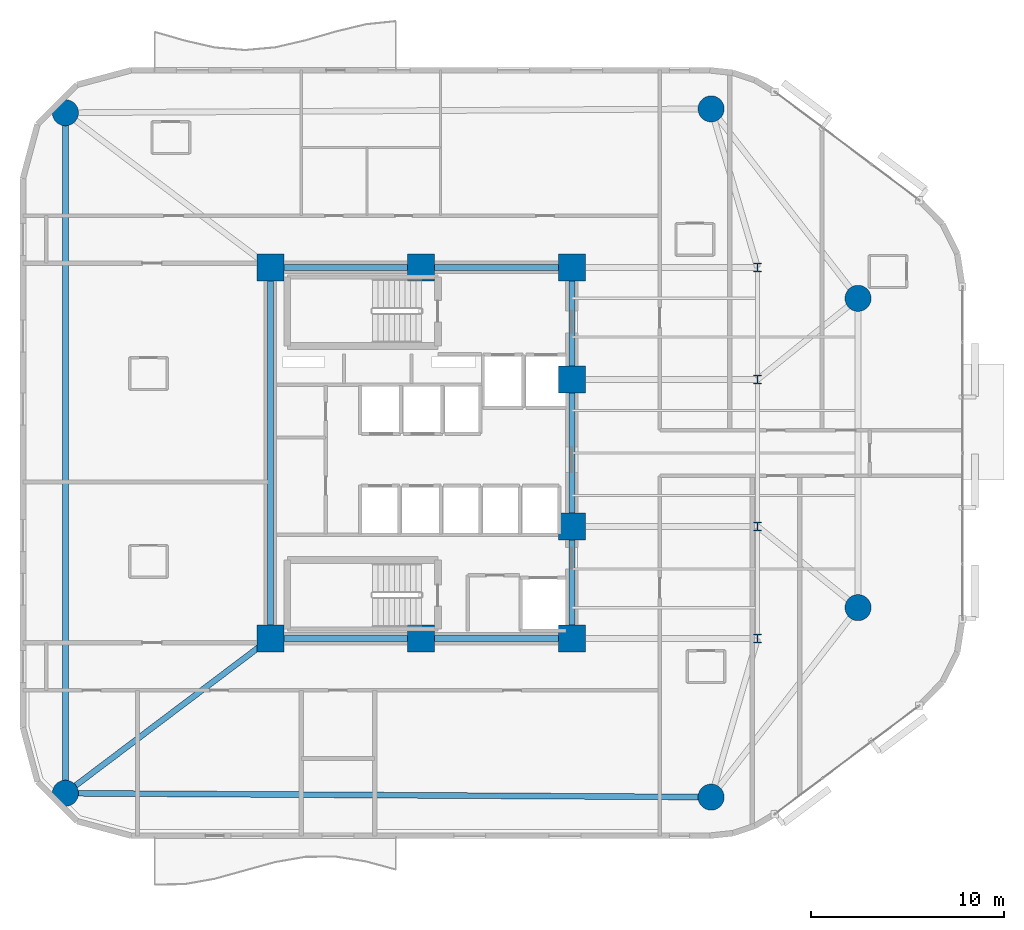
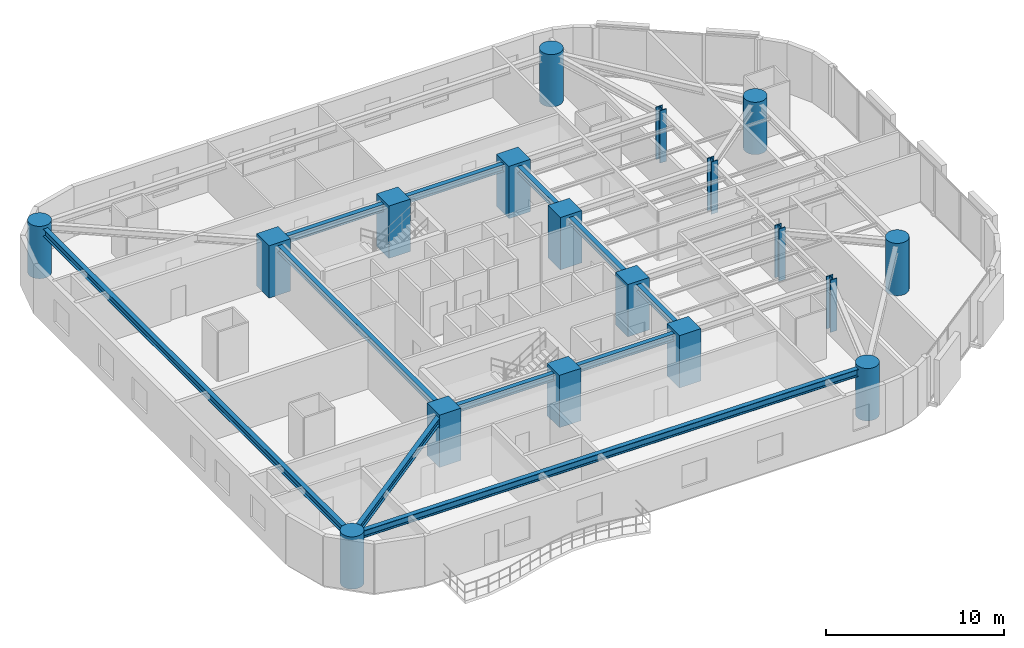
# One storey, part 1 of 16: 18 columns, 9 beams.
"""IFC4 building model written with IfcOpenShell, lengths in metres."""

from ifc_helpers import new_model, si_unit, direction, frame, origin, origin_2d, place, context, subcontext, project, spatial, rectangle, circle, i_section, extrude, material, material_profile, profile_set, type_object, element, save


model = new_model("IFC4")

# Units and contexts
model_context = context("Model", 3, precision=1e-05, world=origin(), true_north=direction((0.0, 1.0)))
body_context = subcontext(model_context, "Body", "Model", "MODEL_VIEW")
ifc_project = project(units=[si_unit("LENGTHUNIT", "METRE"), si_unit("AREAUNIT", "SQUARE_METRE"), si_unit("VOLUMEUNIT", "CUBIC_METRE"), si_unit("PLANEANGLEUNIT", "RADIAN"), si_unit("MASSUNIT", "GRAM", prefix="KILO")], contexts=[model_context])

# Site, building, storey
site_placement = place(None, origin())
site = spatial("IfcSite", under=ifc_project, at=site_placement, CompositionType="ELEMENT")
building_placement = place(site_placement, origin())
building = spatial("IfcBuilding", under=site, at=building_placement, Name="An Khanh Terracotta Commons", CompositionType="ELEMENT")
storey_placement = place(building_placement, frame((0.0, 0.0, 97.10009765625)))
storey = spatial("IfcBuildingStorey", under=building, at=storey_placement, Name="L25", CompositionType="ELEMENT", Elevation=97.10009765625)

# Columns
ifc_material_1 = material(Name="Concrete C70/85", Category="concrete")
ifc_material_profile_1 = material_profile(ifc_material_1, circle(Radius=0.675048828125, at=origin_2d()), Name="CFST1350")
ifc_profile_set_1 = profile_set([ifc_material_profile_1], Name="Concrete C70/85")
column_type_1 = type_object("IfcColumnType", Name="COL-CFST1350", PredefinedType="COLUMN", material=ifc_profile_set_1)
for number, where, z_axis, x_axis, name in (
    (1, (11.0, 6.39990234375, 0.0), (0.0, 0.0, 1.0), (1.0, 0.0, 0.0), "L25 Perimeter CFST Mega-Column MC-01"),
    (2, (44.39990234375, 6.199951171875, 0.0), (0.0, 0.0, 1.0), (1.0, 0.0, 0.0), "L25 Perimeter CFST Mega-Column MC-02"),
    (3, (52.0, 16.0, 0.0), (0.0, 0.0, 1.0), (1.0, 0.0, 0.0), "L25 Perimeter CFST Mega-Column MC-03"),
    (4, (52.0, 32.0, 0.0), (0.0, 0.0, 1.0), (1.0, 0.0, 0.0), "L25 Perimeter CFST Mega-Column MC-04"),
    (5, (44.39990234375, 41.800048828125, 0.0), (0.0, 0.0, 1.0), (1.0, 0.0, 0.0), "L25 Perimeter CFST Mega-Column MC-05"),
    (6, (11.0, 41.60009765625, 0.0), (0.0, 0.0, 1.0), (1.0, 0.0, 0.0), "L25 Perimeter CFST Mega-Column MC-06"),
):
    element("IfcColumn", number, at=place(storey_placement, frame(where, z_axis=z_axis, x_axis=x_axis)), inside=storey, type_object=column_type_1, Name=name, PredefinedType="COLUMN", context=body_context, shape_type="SweptSolid", body=[
        extrude(circle(Radius=0.675048828125, at=origin_2d()), origin(), (0.0, 0.0, 1.0), 3.599853515625),
    ])
ifc_material_2 = material(Name="Steel S460ML", Category="steel")
ifc_material_profile_2 = material_profile(ifc_material_2, i_section(OverallWidth=0.4169921875, OverallDepth=0.47705078125, WebThickness=0.035888671875, FlangeThickness=0.057373046875, FilletRadius=0.014892578125, at=origin_2d()), Name="HD400x463")
ifc_profile_set_2 = profile_set([ifc_material_profile_2], Name="Steel S460ML")
column_type_2 = type_object("IfcColumnType", Name="COL-HD400x463", PredefinedType="COLUMN", material=ifc_profile_set_2)
for number, where, z_axis, x_axis, name in (
    (7, (46.800048828125, 14.39990234375, 0.0), (0.0, 0.0, 1.0), (1.0, 0.0, 0.0), "L25 Interior Frame Column TC-01"),
    (8, (46.800048828125, 20.199951171875, 0.0), (0.0, 0.0, 1.0), (1.0, 0.0, 0.0), "L25 Interior Frame Column TC-02"),
    (9, (46.800048828125, 27.800048828125, 0.0), (0.0, 0.0, 1.0), (1.0, 0.0, 0.0), "L25 Interior Frame Column TC-03"),
    (10, (46.800048828125, 33.60009765625, 0.0), (0.0, 0.0, 1.0), (1.0, 0.0, 0.0), "L25 Interior Frame Column TC-04"),
):
    element("IfcColumn", number, at=place(storey_placement, frame(where, z_axis=z_axis, x_axis=x_axis)), inside=storey, type_object=column_type_2, Name=name, PredefinedType="COLUMN", context=body_context, shape_type="SweptSolid", body=[
        extrude(i_section(OverallWidth=0.4169921875, OverallDepth=0.47705078125, WebThickness=0.035888671875, FlangeThickness=0.057373046875, FilletRadius=0.014892578125, at=origin_2d()), origin(), (0.0, 0.0, 1.0), 3.599853515625),
    ])
ifc_material_profile_3 = material_profile(ifc_material_1, rectangle(XDim=1.39990234375, YDim=1.39990234375, at=origin_2d()), Name="RC1400x1400")
ifc_profile_set_3 = profile_set([ifc_material_profile_3], Name="Concrete C70/85")
column_type_3 = type_object("IfcColumnType", Name="COL-RC1400x1400", PredefinedType="COLUMN", material=ifc_profile_set_3)
for number, where, z_axis, x_axis, name in (
    (11, (21.60009765625, 14.39990234375, 0.0), (0.0, 0.0, 1.0), (1.0, 0.0, 0.0), "L25 Core Boundary Column CC-01"),
    (12, (29.39990234375, 14.39990234375, 0.0), (0.0, 0.0, 1.0), (1.0, 0.0, 0.0), "L25 Core Boundary Column CC-02"),
    (13, (37.199951171875, 14.39990234375, 0.0), (0.0, 0.0, 1.0), (1.0, 0.0, 0.0), "L25 Core Boundary Column CC-03"),
    (14, (37.199951171875, 20.199951171875, 0.0), (0.0, 0.0, 1.0), (1.0, 0.0, 0.0), "L25 Core Boundary Column CC-04"),
    (15, (37.199951171875, 27.800048828125, 0.0), (0.0, 0.0, 1.0), (1.0, 0.0, 0.0), "L25 Core Boundary Column CC-05"),
    (16, (37.199951171875, 33.60009765625, 0.0), (0.0, 0.0, 1.0), (1.0, 0.0, 0.0), "L25 Core Boundary Column CC-06"),
    (17, (29.39990234375, 33.60009765625, 0.0), (0.0, 0.0, 1.0), (1.0, 0.0, 0.0), "L25 Core Boundary Column CC-07"),
    (18, (21.60009765625, 33.60009765625, 0.0), (0.0, 0.0, 1.0), (1.0, 0.0, 0.0), "L25 Core Boundary Column CC-08"),
):
    element("IfcColumn", number, at=place(storey_placement, frame(where, z_axis=z_axis, x_axis=x_axis)), inside=storey, type_object=column_type_3, Name=name, PredefinedType="COLUMN", context=body_context, shape_type="SweptSolid", body=[
        extrude(rectangle(XDim=1.39990234375, YDim=1.39990234375, at=origin_2d()), origin(), (0.0, 0.0, 1.0), 3.599853515625),
    ])

# Beams
ifc_material_3 = material(Name="Steel S355J2", Category="steel")
ifc_material_profile_4 = material_profile(ifc_material_3, i_section(OverallWidth=0.300048828125, OverallDepth=0.449951171875, WebThickness=0.013916015625, FlangeThickness=0.02587890625, FilletRadius=0.027099609375, at=origin_2d()), Name="HEB450")
ifc_profile_set_4 = profile_set([ifc_material_profile_4], Name="Steel S355J2")
beam_type_1 = type_object("IfcBeamType", Name="BM-HEB450", PredefinedType="BEAM", material=ifc_profile_set_4)
beam_1_placement = place(storey_placement, frame((37.199951171875, 14.39990234375, 3.1748046875), z_axis=(0.0, 1.0, 0.0), x_axis=(-1.0, 0.0, 0.0)))
element("IfcBeam", 19, at=beam_1_placement, inside=storey, type_object=beam_type_1, Name="L25 Core East Coupling Girder 1", PredefinedType="BEAM", context=body_context, shape_type="SweptSolid", body=[
    extrude(i_section(OverallWidth=0.300048828125, OverallDepth=0.449951171875, WebThickness=0.013916015625, FlangeThickness=0.02587890625, FilletRadius=0.027099609375, at=origin_2d()), origin(), (0.0, 0.0, 1.0), 5.800048828125),
])
beam_2_placement = place(storey_placement, frame((37.199951171875, 20.199951171875, 3.1748046875), z_axis=(0.0, 1.0, 0.0), x_axis=(-1.0, 0.0, 0.0)))
element("IfcBeam", 20, at=beam_2_placement, inside=storey, type_object=beam_type_1, Name="L25 Core East Coupling Girder 2", PredefinedType="BEAM", context=body_context, shape_type="SweptSolid", body=[
    extrude(i_section(OverallWidth=0.300048828125, OverallDepth=0.449951171875, WebThickness=0.013916015625, FlangeThickness=0.02587890625, FilletRadius=0.027099609375, at=origin_2d()), origin(), (0.0, 0.0, 1.0), 7.60009765625),
])
beam_3_placement = place(storey_placement, frame((37.199951171875, 27.800048828125, 3.1748046875), z_axis=(0.0, 1.0, 0.0), x_axis=(-1.0, 0.0, 0.0)))
element("IfcBeam", 21, at=beam_3_placement, inside=storey, type_object=beam_type_1, Name="L25 Core East Coupling Girder 3", PredefinedType="BEAM", context=body_context, shape_type="SweptSolid", body=[
    extrude(i_section(OverallWidth=0.300048828125, OverallDepth=0.449951171875, WebThickness=0.013916015625, FlangeThickness=0.02587890625, FilletRadius=0.027099609375, at=origin_2d()), origin(), (0.0, 0.0, 1.0), 5.800048828125),
])
beam_4_placement = place(storey_placement, frame((21.60009765625, 14.39990234375, 3.1748046875), z_axis=(0.0, 1.0, 0.0), x_axis=(-1.0, 0.0, 0.0)))
element("IfcBeam", 22, at=beam_4_placement, inside=storey, type_object=beam_type_1, Name="L25 Core West Coupling Girder", PredefinedType="BEAM", context=body_context, shape_type="SweptSolid", body=[
    extrude(i_section(OverallWidth=0.300048828125, OverallDepth=0.449951171875, WebThickness=0.013916015625, FlangeThickness=0.02587890625, FilletRadius=0.027099609375, at=origin_2d()), origin(), (0.0, 0.0, 1.0), 19.2001953125),
])
ifc_material_profile_5 = material_profile(ifc_material_3, i_section(OverallWidth=0.300048828125, OverallDepth=0.5, WebThickness=0.014404296875, FlangeThickness=0.028076171875, FilletRadius=0.027099609375, at=origin_2d()), Name="HEB500")
ifc_profile_set_5 = profile_set([ifc_material_profile_5], Name="Steel S355J2")
beam_type_2 = type_object("IfcBeamType", Name="BM-HEB500", PredefinedType="BEAM", material=ifc_profile_set_5)
for number, where, z_axis, x_axis, name in (
    (23, (21.60009765625, 14.39990234375, 3.14990234375), (1.0, 0.0, 0.0), (0.0, 1.0, 0.0), "L25 Core South Coupling Girder"),
    (24, (21.60009765625, 33.60009765625, 3.14990234375), (1.0, 0.0, 0.0), (0.0, 1.0, 0.0), "L25 Core North Coupling Girder"),
):
    element("IfcBeam", number, at=place(storey_placement, frame(where, z_axis=z_axis, x_axis=x_axis)), inside=storey, type_object=beam_type_2, Name=name, PredefinedType="BEAM", context=body_context, shape_type="SweptSolid", body=[
        extrude(i_section(OverallWidth=0.300048828125, OverallDepth=0.5, WebThickness=0.014404296875, FlangeThickness=0.028076171875, FilletRadius=0.027099609375, at=origin_2d()), origin(), (0.0, 0.0, 1.0), 15.599853515625),
    ])
beam_5_placement = place(storey_placement, frame((11.0, 6.39990234375, 3.14990234375), z_axis=(0.999982080914, -0.005986472262, 0.0), x_axis=(0.005986472262, 0.999982080914, 0.0)))
element("IfcBeam", 25, at=beam_5_placement, inside=storey, type_object=beam_type_2, Name="L25 Perimeter Ring Spandrel 1", PredefinedType="BEAM", context=body_context, shape_type="SweptSolid", body=[
    extrude(i_section(OverallWidth=0.300048828125, OverallDepth=0.5, WebThickness=0.014404296875, FlangeThickness=0.028076171875, FilletRadius=0.027099609375, at=origin_2d()), origin(), (0.0, 0.0, 1.0), 33.400390625),
])
beam_6_placement = place(storey_placement, frame((11.0, 41.60009765625, 3.14990234375), z_axis=(0.0, -1.0, 0.0), x_axis=(1.0, 0.0, 0.0)))
element("IfcBeam", 26, at=beam_6_placement, inside=storey, type_object=beam_type_2, Name="L25 Perimeter Ring Spandrel 6", PredefinedType="BEAM", context=body_context, shape_type="SweptSolid", body=[
    extrude(i_section(OverallWidth=0.300048828125, OverallDepth=0.5, WebThickness=0.014404296875, FlangeThickness=0.028076171875, FilletRadius=0.027099609375, at=origin_2d()), origin(), (0.0, 0.0, 1.0), 35.2001953125),
])
beam_7_placement = place(storey_placement, frame((11.0, 6.39990234375, 3.14990234375), z_axis=(0.798191818888, 0.602403370061, 0.0), x_axis=(-0.602403370061, 0.798191818888, 0.0)))
element("IfcBeam", 27, at=beam_7_placement, inside=storey, type_object=beam_type_2, Name="L25 Mega-Column Tie Girder 1", PredefinedType="BEAM", context=body_context, shape_type="SweptSolid", body=[
    extrude(i_section(OverallWidth=0.300048828125, OverallDepth=0.5, WebThickness=0.014404296875, FlangeThickness=0.028076171875, FilletRadius=0.027099609375, at=origin_2d()), origin(), (0.0, 0.0, 1.0), 13.280029296875),
])

save(model, "model.ifc")
